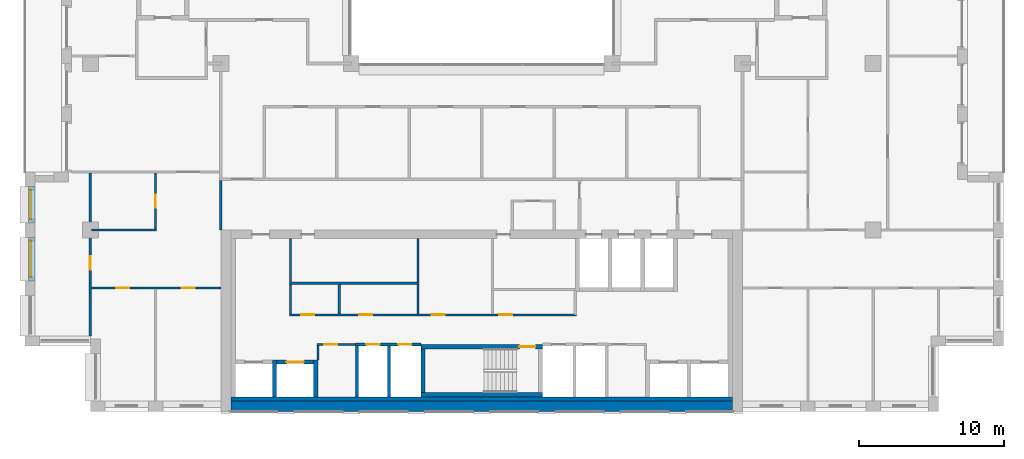
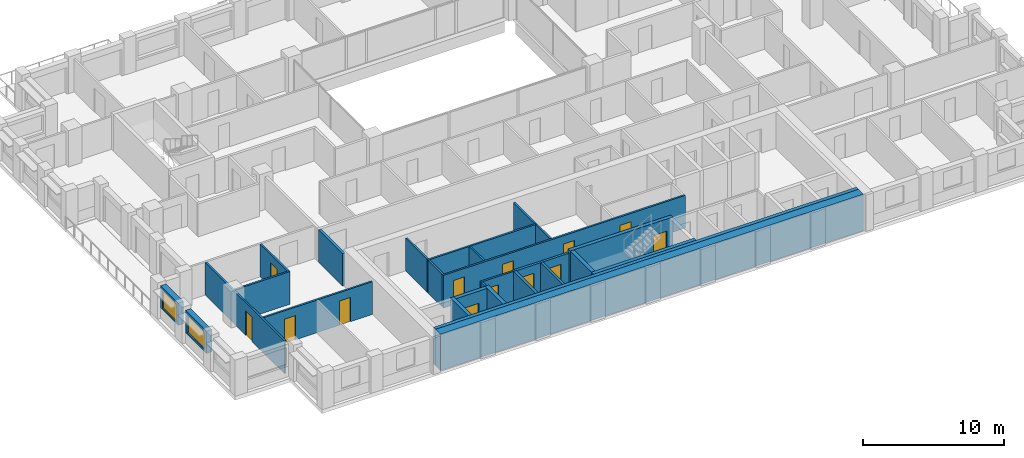
# One storey, part 8 of 15: 27 walls, 13 doors, 2 windows, 15 openings.
"""IFC4 building model written with IfcOpenShell, lengths in metres."""

from ifc_helpers import new_model, si_unit, direction, frame, frame_2d, origin, place, context, subcontext, project, spatial, rectangle, extrude, material, layer, layer_set, type_object, element, fill, save


model = new_model("IFC4")

# Units and contexts
model_context = context("Model", 3, precision=1e-05, world=origin(), true_north=direction((0.0, 1.0)))
body_context = subcontext(model_context, "Body", "Model", "MODEL_VIEW")
ifc_project = project(units=[si_unit("LENGTHUNIT", "METRE"), si_unit("AREAUNIT", "SQUARE_METRE"), si_unit("VOLUMEUNIT", "CUBIC_METRE"), si_unit("PLANEANGLEUNIT", "RADIAN"), si_unit("MASSUNIT", "GRAM", prefix="KILO")], contexts=[model_context])

# Site, building, storey
site_placement = place(None, origin())
site = spatial("IfcSite", under=ifc_project, at=site_placement, CompositionType="ELEMENT")
building_placement = place(site_placement, origin())
building = spatial("IfcBuilding", under=site, at=building_placement, Name="Brigalow Station Residences", CompositionType="ELEMENT")
storey_placement = place(building_placement, frame((0.0, 0.0, 150.75)))
storey = spatial("IfcBuildingStorey", under=building, at=storey_placement, Name="L43", CompositionType="ELEMENT", Elevation=150.75)

# Wall, opening, window
ifc_material_1 = material(Name="Clay brick masonry", Category="masonry")
ifc_layer_1 = layer(ifc_material_1, 0.449951171875)
ifc_layer_set_1 = layer_set([ifc_layer_1], Name="BRICK INFILL WALL 450")
wall_type_1 = type_object("IfcWallType", Name="BRICK INFILL WALL 450", PredefinedType="SOLIDWALL", material=ifc_layer_set_1)
wall_1_placement = place(storey_placement, frame((4.97509765625, 15.5, 0.89990234375), z_axis=(0.0, 0.0, 1.0), x_axis=(0.0, -1.0, 0.0)))
wall_1 = element("IfcWall", 1, at=wall_1_placement, inside=storey, type_object=wall_type_1, Name="L43/ewall/W-L43-45", PredefinedType="SOLIDWALL", context=body_context, shape_type="SweptSolid", body=[
    extrude(rectangle(XDim=2.5, YDim=0.449951171875, at=frame_2d((1.25, 0.0))), origin(), (0.0, 0.0, 1.0), 1.93017578125),
])
opening_1_placement = place(wall_1_placement, frame((0.25, 0.0, 0.14990234375)))
opening_1 = element("IfcOpeningElement", 2, at=opening_1_placement, cuts=wall_1, Name="Opening WT-7", PredefinedType="OPENING", context=body_context, shape_type="SweptSolid", body=[
    extrude(rectangle(XDim=2.0, YDim=1.5, at=frame_2d((1.0, 0.75))), frame((0.0, 0.23486328125, 0.0), z_axis=(0.0, -1.0, 0.0), x_axis=(1.0, 0.0, 0.0)), (0.0, 0.0, 1.0), 0.469970703125),
])
ifc_material_2 = material(Name="Anodised aluminium frame with double glazing", Category="aluminium")
window_type_1 = type_object("IfcWindowType", Name="WINDOW 2000x1500", PartitioningType="SINGLE_PANEL", PredefinedType="WINDOW", material=ifc_material_2)
window_1_placement = place(opening_1_placement, origin())
window_1 = element("IfcWindow", 3, at=window_1_placement, inside=storey, type_object=window_type_1, Name="L43/window/W-L43-45", OverallHeight=1.5, OverallWidth=2.0, PartitioningType="SINGLE_PANEL", PredefinedType="WINDOW", context=body_context, shape_type="SweptSolid", body=[
    extrude(rectangle(XDim=2.0, YDim=1.5, at=frame_2d((1.0, 0.75))), frame((0.0, -0.06494140625, 0.0), z_axis=(0.0, -1.0, 0.0), x_axis=(1.0, 0.0, 0.0)), (0.0, 0.0, 1.0), 0.06005859375),
])
fill(opening_1, window_1)

wall_2_placement = place(storey_placement, frame((4.97509765625, 12.0, 0.89990234375), z_axis=(0.0, 0.0, 1.0), x_axis=(0.0, -1.0, 0.0)))
wall_2 = element("IfcWall", 4, at=wall_2_placement, inside=storey, type_object=wall_type_1, Name="L43/ewall/W-L43-46", PredefinedType="SOLIDWALL", context=body_context, shape_type="SweptSolid", body=[
    extrude(rectangle(XDim=3.0, YDim=0.449951171875, at=frame_2d((1.5, 0.0))), origin(), (0.0, 0.0, 1.0), 1.93017578125),
])
opening_2_placement = place(wall_2_placement, frame((0.25, 0.0, 0.14990234375)))
opening_2 = element("IfcOpeningElement", 5, at=opening_2_placement, cuts=wall_2, Name="Opening WT-5", PredefinedType="OPENING", context=body_context, shape_type="SweptSolid", body=[
    extrude(rectangle(XDim=2.5, YDim=1.5, at=frame_2d((1.25, 0.75))), frame((0.0, 0.23486328125, 0.0), z_axis=(0.0, -1.0, 0.0), x_axis=(1.0, 0.0, 0.0)), (0.0, 0.0, 1.0), 0.469970703125),
])
ifc_material_3 = material(Name="Anodised aluminium frame with double glazing", Category="aluminium")
window_type_2 = type_object("IfcWindowType", Name="WINDOW 2500x1500", PartitioningType="SINGLE_PANEL", PredefinedType="WINDOW", material=ifc_material_3)
window_2_placement = place(opening_2_placement, origin())
window_2 = element("IfcWindow", 6, at=window_2_placement, inside=storey, type_object=window_type_2, Name="L43/window/W-L43-46", OverallHeight=1.5, OverallWidth=2.5, PartitioningType="SINGLE_PANEL", PredefinedType="WINDOW", context=body_context, shape_type="SweptSolid", body=[
    extrude(rectangle(XDim=2.5, YDim=1.5, at=frame_2d((1.25, 0.75))), frame((0.0, -0.06494140625, 0.0), z_axis=(0.0, -1.0, 0.0), x_axis=(1.0, 0.0, 0.0)), (0.0, 0.0, 1.0), 0.06005859375),
])
fill(opening_2, window_2)

# Wall
ifc_material_4 = material(Name="Concrete C65", Category="concrete")
ifc_layer_2 = layer(ifc_material_4, 0.300048828125)
ifc_layer_set_2 = layer_set([ifc_layer_2], Name="CORE SHEAR WALL 300 C65")
wall_type_2 = type_object("IfcWallType", Name="CORE SHEAR WALL 300 C65", PredefinedType="SHEAR", material=ifc_layer_set_2)
wall_3_placement = place(storey_placement, frame((18.699951171875, 0.85009765625, 0.0), z_axis=(0.0, 0.0, 1.0), x_axis=(1.0, 0.0, 0.0)))
element("IfcWall", 7, at=wall_3_placement, inside=storey, type_object=wall_type_2, Name="CORE WALL LIN-S L43", PredefinedType="SHEAR", context=body_context, shape_type="SweptSolid", body=[
    extrude(rectangle(XDim=34.60009765625, YDim=0.300048828125, at=frame_2d((17.300048828125, 0.0))), origin(), (0.0, 0.0, 1.0), 3.14990234375),
])

# Wall, opening, door
wall_4_placement = place(storey_placement, frame((21.85009765625, 3.39990234375, 0.0), z_axis=(0.0, 0.0, 1.0), x_axis=(1.0, 0.0, 0.0)))
wall_4 = element("IfcWall", 8, at=wall_4_placement, inside=storey, type_object=wall_type_2, Name="CORE WALL SH-C2-N L43", PredefinedType="SHEAR", context=body_context, shape_type="SweptSolid", body=[
    extrude(rectangle(XDim=2.5498046875, YDim=0.300048828125, at=frame_2d((1.27490234375, 0.0))), origin(), (0.0, 0.0, 1.0), 3.14990234375),
])
opening_3_placement = place(wall_4_placement, frame((0.675048828125, 0.0, 0.0)))
opening_3 = element("IfcOpeningElement", 9, at=opening_3_placement, cuts=wall_4, Name="Opening LD-LB2", PredefinedType="OPENING", context=body_context, shape_type="SweptSolid", body=[
    extrude(rectangle(XDim=1.199951171875, YDim=2.10009765625, at=frame_2d((0.60009765625, 1.050048828125))), frame((0.0, 0.16015625, 0.0), z_axis=(0.0, -1.0, 0.0), x_axis=(1.0, 0.0, 0.0)), (0.0, 0.0, 1.0), 0.320068359375),
])
ifc_material_5 = material(Name="Stainless steel sliding door leaves", Category="steel")
door_type_1 = type_object("IfcDoorType", Name="LIFT LANDING DOOR 1200 x 2100", OperationType="DOUBLE_DOOR_SLIDING", PredefinedType="DOOR", material=ifc_material_5)
door_1_placement = place(opening_3_placement, origin())
door_1 = element("IfcDoor", 10, at=door_1_placement, inside=storey, type_object=door_type_1, Name="LANDING DOOR LB2", OperationType="DOUBLE_DOOR_SLIDING", OverallHeight=2.10009765625, OverallWidth=1.199951171875, PredefinedType="DOOR", context=body_context, shape_type="SweptSolid", body=[
    extrude(rectangle(XDim=1.199951171875, YDim=2.10009765625, at=frame_2d((0.60009765625, 1.050048828125))), frame((0.0, 0.02490234375, 0.0), z_axis=(0.0, -1.0, 0.0), x_axis=(1.0, 0.0, 0.0)), (0.0, 0.0, 1.0), 0.050048828125),
])
fill(opening_3, door_1)

# Walls
for number, where, z_axis, x_axis, name in (
    (11, (21.699951171875, 1.0, 0.0), (0.0, 0.0, 1.0), (0.0, 1.0, 0.0), "CORE WALL SH-C2-W L43"),
    (12, (24.550048828125, 1.0, 0.0), (0.0, 0.0, 1.0), (0.0, 1.0, 0.0), "CORE WALL SH-C2-E L43"),
):
    element("IfcWall", number, at=place(storey_placement, frame(where, z_axis=z_axis, x_axis=x_axis)), inside=storey, type_object=wall_type_2, Name=name, PredefinedType="SHEAR", context=body_context, shape_type="SweptSolid", body=[
        extrude(rectangle(XDim=2.550048828125, YDim=0.300048828125, at=frame_2d((1.27490234375, 0.0))), origin(), (0.0, 0.0, 1.0), 3.14990234375),
    ])
wall_5_placement = place(storey_placement, frame((31.800048828125, 1.14990234375, 0.0), z_axis=(0.0, 0.0, 1.0), x_axis=(1.0, 0.0, 0.0)))
element("IfcWall", 13, at=wall_5_placement, inside=storey, type_object=wall_type_2, Name="CORE WALL ST-S2-S L43", PredefinedType="SHEAR", context=body_context, shape_type="SweptSolid", body=[
    extrude(rectangle(XDim=8.39990234375, YDim=0.300048828125, at=frame_2d((4.199951171875, 0.0))), origin(), (0.0, 0.0, 1.0), 3.14990234375),
])

# Wall, opening, door
wall_6_placement = place(storey_placement, frame((31.800048828125, 4.449951171875, 0.0), z_axis=(0.0, 0.0, 1.0), x_axis=(1.0, 0.0, 0.0)))
wall_6 = element("IfcWall", 14, at=wall_6_placement, inside=storey, type_object=wall_type_2, Name="CORE WALL ST-S2-N L43", PredefinedType="SHEAR", context=body_context, shape_type="SweptSolid", body=[
    extrude(rectangle(XDim=8.39990234375, YDim=0.300048828125, at=frame_2d((4.199951171875, 0.0))), origin(), (0.0, 0.0, 1.0), 3.14990234375),
])
opening_4_placement = place(wall_6_placement, frame((6.800048828125, 0.0, 0.0)))
opening_4 = element("IfcOpeningElement", 15, at=opening_4_placement, cuts=wall_6, Name="Opening D-5001", PredefinedType="OPENING", context=body_context, shape_type="SweptSolid", body=[
    extrude(rectangle(XDim=1.10009765625, YDim=2.10009765625, at=frame_2d((0.550048828125, 1.050048828125))), frame((0.0, 0.16015625, 0.0), z_axis=(0.0, -1.0, 0.0), x_axis=(1.0, 0.0, 0.0)), (0.0, 0.0, 1.0), 0.320068359375),
])
ifc_material_6 = material(Name="Steel fire door leaf in steel frame", Category="steel")
door_type_2 = type_object("IfcDoorType", Name="STAIR DOOR 1100 x 2100 FD60S", OperationType="SINGLE_SWING_LEFT", PredefinedType="DOOR", material=ifc_material_6)
door_2_placement = place(opening_4_placement, frame((1.10009765625, 0.0, 0.0), z_axis=(0.0, 0.0, 1.0), x_axis=(-1.0, 0.0, 0.0)))
door_2 = element("IfcDoor", 16, at=door_2_placement, inside=storey, type_object=door_type_2, Name="D-5001", OperationType="SINGLE_SWING_LEFT", OverallHeight=2.10009765625, OverallWidth=1.10009765625, PredefinedType="DOOR", context=body_context, shape_type="SweptSolid", body=[
    extrude(rectangle(XDim=1.10009765625, YDim=2.10009765625, at=frame_2d((0.550048828125, 1.050048828125))), frame((0.0, 0.02490234375, 0.0), z_axis=(0.0, -1.0, 0.0), x_axis=(1.0, 0.0, 0.0)), (0.0, 0.0, 1.0), 0.050048828125),
])
fill(opening_4, door_2)

# Walls
wall_7_placement = place(storey_placement, frame((31.949951171875, 1.300048828125, 0.0), z_axis=(0.0, 0.0, 1.0), x_axis=(0.0, 1.0, 0.0)))
element("IfcWall", 17, at=wall_7_placement, inside=storey, type_object=wall_type_2, Name="CORE WALL ST-S2-W L43", PredefinedType="SHEAR", context=body_context, shape_type="SweptSolid", body=[
    extrude(rectangle(XDim=3.0, YDim=0.300048828125, at=frame_2d((1.5, 0.0))), origin(), (0.0, 0.0, 1.0), 3.14990234375),
])
ifc_material_7 = material(Name="Concrete C65", Category="concrete")
ifc_layer_3 = layer(ifc_material_7, 0.699951171875)
ifc_layer_set_3 = layer_set([ifc_layer_3], Name="CORE SHEAR WALL 700 C65")
wall_type_3 = type_object("IfcWallType", Name="CORE SHEAR WALL 700 C65", PredefinedType="SHEAR", material=ifc_layer_set_3)
wall_8_placement = place(storey_placement, frame((18.699951171875, 0.35009765625, 0.0), z_axis=(0.0, 0.0, 1.0), x_axis=(1.0, 0.0, 0.0)))
element("IfcWall", 18, at=wall_8_placement, inside=storey, type_object=wall_type_3, Name="CORE WALL OUT-S L43", PredefinedType="SHEAR", context=body_context, shape_type="SweptSolid", body=[
    extrude(rectangle(XDim=34.60009765625, YDim=0.699951171875, at=frame_2d((17.300048828125, 0.0))), origin(), (0.0, 0.0, 1.0), 3.14990234375),
])

# Wall, openings, doors
ifc_material_8 = material(Name="Concrete blockwork", Category="masonry")
ifc_layer_4 = layer(ifc_material_8, 0.199951171875)
ifc_layer_set_4 = layer_set([ifc_layer_4], Name="FIRE RATED CORE PARTITION 200")
wall_type_4 = type_object("IfcWallType", Name="FIRE RATED CORE PARTITION 200", PredefinedType="PARTITIONING", material=ifc_layer_set_4)
wall_9_placement = place(storey_placement, frame((27.300048828125, 4.60009765625, 0.0), z_axis=(0.0, 0.0, 1.0), x_axis=(1.0, 0.0, 0.0)))
wall_9 = element("IfcWall", 19, at=wall_9_placement, inside=storey, type_object=wall_type_4, Name="PW-5017", PredefinedType="PARTITIONING", context=body_context, shape_type="SweptSolid", body=[
    extrude(rectangle(XDim=4.5, YDim=0.199951171875, at=frame_2d((2.25, 0.0))), origin(), (0.0, 0.0, 1.0), 2.830078125),
])
opening_5_placement = place(wall_9_placement, frame((0.75, 0.0, 0.0)))
opening_5 = element("IfcOpeningElement", 20, at=opening_5_placement, cuts=wall_9, Name="Opening D-5007", PredefinedType="OPENING", context=body_context, shape_type="SweptSolid", body=[
    extrude(rectangle(XDim=0.89990234375, YDim=2.10009765625, at=frame_2d((0.449951171875, 1.050048828125))), frame((0.0, 0.10986328125, 0.0), z_axis=(0.0, -1.0, 0.0), x_axis=(1.0, 0.0, 0.0)), (0.0, 0.0, 1.0), 0.219970703125),
])
opening_6_placement = place(wall_9_placement, frame((2.949951171875, 0.0, 0.0)))
opening_6 = element("IfcOpeningElement", 21, at=opening_6_placement, cuts=wall_9, Name="Opening D-5008", PredefinedType="OPENING", context=body_context, shape_type="SweptSolid", body=[
    extrude(rectangle(XDim=0.89990234375, YDim=2.10009765625, at=frame_2d((0.449951171875, 1.050048828125))), frame((0.0, 0.10986328125, 0.0), z_axis=(0.0, -1.0, 0.0), x_axis=(1.0, 0.0, 0.0)), (0.0, 0.0, 1.0), 0.219970703125),
])
ifc_material_9 = material(Name="Steel fire door leaf in steel frame", Category="steel")
door_type_3 = type_object("IfcDoorType", Name="RISER ACCESS DOOR 900 x 2100 FD120", OperationType="SINGLE_SWING_LEFT", PredefinedType="DOOR", material=ifc_material_9)
door_3_placement = place(opening_5_placement, frame((0.89990234375, 0.0, 0.0), z_axis=(0.0, 0.0, 1.0), x_axis=(-1.0, 0.0, 0.0)))
door_3 = element("IfcDoor", 22, at=door_3_placement, inside=storey, type_object=door_type_3, Name="D-5007", OperationType="SINGLE_SWING_RIGHT", OverallHeight=2.10009765625, OverallWidth=0.89990234375, PredefinedType="DOOR", context=body_context, shape_type="SweptSolid", body=[
    extrude(rectangle(XDim=0.89990234375, YDim=2.10009765625, at=frame_2d((0.449951171875, 1.050048828125))), frame((0.0, 0.02490234375, 0.0), z_axis=(0.0, -1.0, 0.0), x_axis=(1.0, 0.0, 0.0)), (0.0, 0.0, 1.0), 0.050048828125),
])
fill(opening_5, door_3)
door_4_placement = place(opening_6_placement, frame((0.89990234375, 0.0, 0.0), z_axis=(0.0, 0.0, 1.0), x_axis=(-1.0, 0.0, 0.0)))
door_4 = element("IfcDoor", 23, at=door_4_placement, inside=storey, type_object=door_type_3, Name="D-5008", OperationType="SINGLE_SWING_RIGHT", OverallHeight=2.10009765625, OverallWidth=0.89990234375, PredefinedType="DOOR", context=body_context, shape_type="SweptSolid", body=[
    extrude(rectangle(XDim=0.89990234375, YDim=2.10009765625, at=frame_2d((0.449951171875, 1.050048828125))), frame((0.0, 0.02490234375, 0.0), z_axis=(0.0, -1.0, 0.0), x_axis=(1.0, 0.0, 0.0)), (0.0, 0.0, 1.0), 0.050048828125),
])
fill(opening_6, door_4)

# Walls
wall_10_placement = place(storey_placement, frame((27.39990234375, 1.0, 0.0), z_axis=(0.0, 0.0, 1.0), x_axis=(0.0, 1.0, 0.0)))
element("IfcWall", 24, at=wall_10_placement, inside=storey, type_object=wall_type_4, Name="PW-5027", PredefinedType="PARTITIONING", context=body_context, shape_type="SweptSolid", body=[
    extrude(rectangle(XDim=3.52490234375, YDim=0.199951171875, at=frame_2d((1.762451171875, 0.0))), origin(), (0.0, 0.0, 1.0), 2.830078125),
])
wall_11_placement = place(storey_placement, frame((29.60009765625, 1.0, 0.0), z_axis=(0.0, 0.0, 1.0), x_axis=(0.0, 1.0, 0.0)))
element("IfcWall", 25, at=wall_11_placement, inside=storey, type_object=wall_type_4, Name="PW-5006", PredefinedType="PARTITIONING", context=body_context, shape_type="SweptSolid", body=[
    extrude(rectangle(XDim=3.5, YDim=0.199951171875, at=frame_2d((1.75, 0.0))), origin(), (0.0, 0.0, 1.0), 2.830078125),
])
wall_12_placement = place(storey_placement, frame((18.0, 12.5, 0.0), z_axis=(0.0, 0.0, 1.0), x_axis=(0.0, 1.0, 0.0)))
element("IfcWall", 26, at=wall_12_placement, inside=storey, type_object=wall_type_4, Name="PW-5013", PredefinedType="PARTITIONING", context=body_context, shape_type="SweptSolid", body=[
    extrude(rectangle(XDim=3.39990234375, YDim=0.199951171875, at=frame_2d((1.699951171875, 0.0))), origin(), (0.0, 0.0, 1.0), 2.830078125),
])

# Wall, openings, doors
ifc_material_10 = material(Name="Plasterboard on steel stud partition", Category="steel")
ifc_layer_5 = layer(ifc_material_10, 0.14990234375)
ifc_layer_set_5 = layer_set([ifc_layer_5], Name="FLAT PARTITION 150")
wall_type_5 = type_object("IfcWallType", Name="FLAT PARTITION 150", PredefinedType="PARTITIONING", material=ifc_layer_set_5)
wall_13_placement = place(storey_placement, frame((9.074951171875, 8.5, 0.0), z_axis=(0.0, 0.0, 1.0), x_axis=(1.0, 0.0, 0.0)))
wall_13 = element("IfcWall", 27, at=wall_13_placement, inside=storey, type_object=wall_type_5, Name="PW-3B21", PredefinedType="PARTITIONING", context=body_context, shape_type="SweptSolid", body=[
    extrude(rectangle(XDim=8.925048828125, YDim=0.14990234375, at=frame_2d((4.46240234375, 0.0))), origin(), (0.0, 0.0, 1.0), 2.830078125),
])
opening_7_placement = place(wall_13_placement, frame((1.72509765625, 0.0, 0.0)))
opening_7 = element("IfcOpeningElement", 28, at=opening_7_placement, cuts=wall_13, Name="Opening D-3B13", PredefinedType="OPENING", context=body_context, shape_type="SweptSolid", body=[
    extrude(rectangle(XDim=0.89990234375, YDim=2.10009765625, at=frame_2d((0.449951171875, 1.050048828125))), frame((0.0, 0.0849609375, 0.0), z_axis=(0.0, -1.0, 0.0), x_axis=(1.0, 0.0, 0.0)), (0.0, 0.0, 1.0), 0.169921875),
])
opening_8_placement = place(wall_13_placement, frame((6.22509765625, 0.0, 0.0)))
opening_8 = element("IfcOpeningElement", 29, at=opening_8_placement, cuts=wall_13, Name="Opening D-3B14", PredefinedType="OPENING", context=body_context, shape_type="SweptSolid", body=[
    extrude(rectangle(XDim=0.89990234375, YDim=2.10009765625, at=frame_2d((0.449951171875, 1.050048828125))), frame((0.0, 0.0849609375, 0.0), z_axis=(0.0, -1.0, 0.0), x_axis=(1.0, 0.0, 0.0)), (0.0, 0.0, 1.0), 0.169921875),
])
ifc_material_11 = material(Name="Solid-core timber door leaf", Category="wood")
door_type_4 = type_object("IfcDoorType", Name="INTERNAL DOOR 900 x 2100", OperationType="SINGLE_SWING_LEFT", PredefinedType="DOOR", material=ifc_material_11)
door_5_placement = place(opening_7_placement, frame((0.89990234375, 0.0, 0.0), z_axis=(0.0, 0.0, 1.0), x_axis=(-1.0, 0.0, 0.0)))
door_5 = element("IfcDoor", 30, at=door_5_placement, inside=storey, type_object=door_type_4, Name="D-3B13", OperationType="SINGLE_SWING_RIGHT", OverallHeight=2.10009765625, OverallWidth=0.89990234375, PredefinedType="DOOR", context=body_context, shape_type="SweptSolid", body=[
    extrude(rectangle(XDim=0.89990234375, YDim=2.10009765625, at=frame_2d((0.449951171875, 1.050048828125))), frame((0.0, 0.02490234375, 0.0), z_axis=(0.0, -1.0, 0.0), x_axis=(1.0, 0.0, 0.0)), (0.0, 0.0, 1.0), 0.050048828125),
])
fill(opening_7, door_5)
door_6_placement = place(opening_8_placement, frame((0.89990234375, 0.0, 0.0), z_axis=(0.0, 0.0, 1.0), x_axis=(-1.0, 0.0, 0.0)))
door_6 = element("IfcDoor", 31, at=door_6_placement, inside=storey, type_object=door_type_4, Name="D-3B14", OperationType="SINGLE_SWING_RIGHT", OverallHeight=2.10009765625, OverallWidth=0.89990234375, PredefinedType="DOOR", context=body_context, shape_type="SweptSolid", body=[
    extrude(rectangle(XDim=0.89990234375, YDim=2.10009765625, at=frame_2d((0.449951171875, 1.050048828125))), frame((0.0, 0.02490234375, 0.0), z_axis=(0.0, -1.0, 0.0), x_axis=(1.0, 0.0, 0.0)), (0.0, 0.0, 1.0), 0.050048828125),
])
fill(opening_8, door_6)

# Wall
wall_14_placement = place(storey_placement, frame((9.074951171875, 12.5, 0.0), z_axis=(0.0, 0.0, 1.0), x_axis=(1.0, 0.0, 0.0)))
element("IfcWall", 32, at=wall_14_placement, inside=storey, type_object=wall_type_5, Name="PW-3B23", PredefinedType="PARTITIONING", context=body_context, shape_type="SweptSolid", body=[
    extrude(rectangle(XDim=4.5, YDim=0.14990234375, at=frame_2d((2.25, 0.0))), origin(), (0.0, 0.0, 1.0), 2.830078125),
])

# Wall, opening, door
wall_15_placement = place(storey_placement, frame((13.5, 12.574951171875, 0.0), z_axis=(0.0, 0.0, 1.0), x_axis=(0.0, 1.0, 0.0)))
wall_15 = element("IfcWall", 33, at=wall_15_placement, inside=storey, type_object=wall_type_5, Name="PW-3B37", PredefinedType="PARTITIONING", context=body_context, shape_type="SweptSolid", body=[
    extrude(rectangle(XDim=3.85009765625, YDim=0.14990234375, at=frame_2d((1.925048828125, 0.0))), origin(), (0.0, 0.0, 1.0), 2.830078125),
])
opening_9_placement = place(wall_15_placement, frame((1.47509765625, 0.0, 0.0)))
opening_9 = element("IfcOpeningElement", 34, at=opening_9_placement, cuts=wall_15, Name="Opening D-3B16", PredefinedType="OPENING", context=body_context, shape_type="SweptSolid", body=[
    extrude(rectangle(XDim=0.89990234375, YDim=2.10009765625, at=frame_2d((0.449951171875, 1.050048828125))), frame((0.0, 0.0849609375, 0.0), z_axis=(0.0, -1.0, 0.0), x_axis=(1.0, 0.0, 0.0)), (0.0, 0.0, 1.0), 0.169921875),
])
door_7_placement = place(opening_9_placement, origin())
door_7 = element("IfcDoor", 35, at=door_7_placement, inside=storey, type_object=door_type_4, Name="D-3B16", OperationType="SINGLE_SWING_LEFT", OverallHeight=2.10009765625, OverallWidth=0.89990234375, PredefinedType="DOOR", context=body_context, shape_type="SweptSolid", body=[
    extrude(rectangle(XDim=0.89990234375, YDim=2.10009765625, at=frame_2d((0.449951171875, 1.050048828125))), frame((0.0, 0.02490234375, 0.0), z_axis=(0.0, -1.0, 0.0), x_axis=(1.0, 0.0, 0.0)), (0.0, 0.0, 1.0), 0.050048828125),
])
fill(opening_9, door_7)

wall_16_placement = place(storey_placement, frame((9.0, 5.199951171875, 0.0), z_axis=(0.0, 0.0, 1.0), x_axis=(0.0, 1.0, 0.0)))
wall_16 = element("IfcWall", 36, at=wall_16_placement, inside=storey, type_object=wall_type_5, Name="PW-3B39", PredefinedType="PARTITIONING", context=body_context, shape_type="SweptSolid", body=[
    extrude(rectangle(XDim=11.22509765625, YDim=0.14990234375, at=frame_2d((5.612548828125, 0.0))), origin(), (0.0, 0.0, 1.0), 2.830078125),
])
opening_10_placement = place(wall_16_placement, frame((4.574951171875, 0.0, 0.0)))
opening_10 = element("IfcOpeningElement", 37, at=opening_10_placement, cuts=wall_16, Name="Opening D-3B15", PredefinedType="OPENING", context=body_context, shape_type="SweptSolid", body=[
    extrude(rectangle(XDim=0.89990234375, YDim=2.10009765625, at=frame_2d((0.449951171875, 1.050048828125))), frame((0.0, 0.0849609375, 0.0), z_axis=(0.0, -1.0, 0.0), x_axis=(1.0, 0.0, 0.0)), (0.0, 0.0, 1.0), 0.169921875),
])
door_8_placement = place(opening_10_placement, origin())
door_8 = element("IfcDoor", 38, at=door_8_placement, inside=storey, type_object=door_type_4, Name="D-3B15", OperationType="SINGLE_SWING_LEFT", OverallHeight=2.10009765625, OverallWidth=0.89990234375, PredefinedType="DOOR", context=body_context, shape_type="SweptSolid", body=[
    extrude(rectangle(XDim=0.89990234375, YDim=2.10009765625, at=frame_2d((0.449951171875, 1.050048828125))), frame((0.0, 0.02490234375, 0.0), z_axis=(0.0, -1.0, 0.0), x_axis=(1.0, 0.0, 0.0)), (0.0, 0.0, 1.0), 0.050048828125),
])
fill(opening_10, door_8)

ifc_material_12 = material(Name="Plasterboard on steel studs", Category="steel")
ifc_layer_6 = layer(ifc_material_12, 0.14990234375)
ifc_layer_set_6 = layer_set([ifc_layer_6], Name="SERVICE ROOM PARTITION 150")
wall_type_6 = type_object("IfcWallType", Name="SERVICE ROOM PARTITION 150", PredefinedType="PARTITIONING", material=ifc_layer_set_6)
wall_17_placement = place(storey_placement, frame((24.625, 4.60009765625, 0.0), z_axis=(0.0, 0.0, 1.0), x_axis=(1.0, 0.0, 0.0)))
wall_17 = element("IfcWall", 39, at=wall_17_placement, inside=storey, type_object=wall_type_6, Name="PW-5155", PredefinedType="PARTITIONING", context=body_context, shape_type="SweptSolid", body=[
    extrude(rectangle(XDim=2.675048828125, YDim=0.14990234375, at=frame_2d((1.33740234375, 0.0))), origin(), (0.0, 0.0, 1.0), 2.830078125),
])
opening_11_placement = place(wall_17_placement, frame((0.52490234375, 0.0, 0.0)))
opening_11 = element("IfcOpeningElement", 40, at=opening_11_placement, cuts=wall_17, Name="Opening D-5087", PredefinedType="OPENING", context=body_context, shape_type="SweptSolid", body=[
    extrude(rectangle(XDim=0.89990234375, YDim=2.10009765625, at=frame_2d((0.449951171875, 1.050048828125))), frame((0.0, 0.0849609375, 0.0), z_axis=(0.0, -1.0, 0.0), x_axis=(1.0, 0.0, 0.0)), (0.0, 0.0, 1.0), 0.169921875),
])
ifc_material_13 = material(Name="Steel door leaf in steel frame", Category="steel")
door_type_5 = type_object("IfcDoorType", Name="SERVICE ROOM DOOR 900 x 2100 FD60", OperationType="SINGLE_SWING_LEFT", PredefinedType="DOOR", material=ifc_material_13)
door_9_placement = place(opening_11_placement, frame((0.89990234375, 0.0, 0.0), z_axis=(0.0, 0.0, 1.0), x_axis=(-1.0, 0.0, 0.0)))
door_9 = element("IfcDoor", 41, at=door_9_placement, inside=storey, type_object=door_type_5, Name="D-5087", OperationType="SINGLE_SWING_RIGHT", OverallHeight=2.10009765625, OverallWidth=0.89990234375, PredefinedType="DOOR", context=body_context, shape_type="SweptSolid", body=[
    extrude(rectangle(XDim=0.89990234375, YDim=2.10009765625, at=frame_2d((0.449951171875, 1.050048828125))), frame((0.0, 0.02490234375, 0.0), z_axis=(0.0, -1.0, 0.0), x_axis=(1.0, 0.0, 0.0)), (0.0, 0.0, 1.0), 0.050048828125),
])
fill(opening_11, door_9)

# Wall, openings, doors
wall_18_placement = place(storey_placement, frame((22.72509765625, 6.64990234375, 0.0), z_axis=(0.0, 0.0, 1.0), x_axis=(1.0, 0.0, 0.0)))
wall_18 = element("IfcWall", 42, at=wall_18_placement, inside=storey, type_object=wall_type_6, Name="PW-5195", PredefinedType="PARTITIONING", context=body_context, shape_type="SweptSolid", body=[
    extrude(rectangle(XDim=19.7998046875, YDim=0.14990234375, at=frame_2d((9.89990234375, 0.0))), origin(), (0.0, 0.0, 1.0), 2.830078125),
])
opening_12_placement = place(wall_18_placement, frame((0.824951171875, 0.0, 0.0)))
opening_12 = element("IfcOpeningElement", 43, at=opening_12_placement, cuts=wall_18, Name="Opening D-5110", PredefinedType="OPENING", context=body_context, shape_type="SweptSolid", body=[
    extrude(rectangle(XDim=0.89990234375, YDim=2.10009765625, at=frame_2d((0.449951171875, 1.050048828125))), frame((0.0, 0.0849609375, 0.0), z_axis=(0.0, -1.0, 0.0), x_axis=(1.0, 0.0, 0.0)), (0.0, 0.0, 1.0), 0.169921875),
])
opening_13_placement = place(wall_18_placement, frame((4.824951171875, 0.0, 0.0)))
opening_13 = element("IfcOpeningElement", 44, at=opening_13_placement, cuts=wall_18, Name="Opening D-5116", PredefinedType="OPENING", context=body_context, shape_type="SweptSolid", body=[
    extrude(rectangle(XDim=0.89990234375, YDim=2.10009765625, at=frame_2d((0.449951171875, 1.050048828125))), frame((0.0, 0.0849609375, 0.0), z_axis=(0.0, -1.0, 0.0), x_axis=(1.0, 0.0, 0.0)), (0.0, 0.0, 1.0), 0.169921875),
])
opening_14_placement = place(wall_18_placement, frame((9.824951171875, 0.0, 0.0)))
opening_14 = element("IfcOpeningElement", 45, at=opening_14_placement, cuts=wall_18, Name="Opening D-5117", PredefinedType="OPENING", context=body_context, shape_type="SweptSolid", body=[
    extrude(rectangle(XDim=0.89990234375, YDim=2.10009765625, at=frame_2d((0.449951171875, 1.050048828125))), frame((0.0, 0.0849609375, 0.0), z_axis=(0.0, -1.0, 0.0), x_axis=(1.0, 0.0, 0.0)), (0.0, 0.0, 1.0), 0.169921875),
])
opening_15_placement = place(wall_18_placement, frame((14.47509765625, 0.0, 0.0)))
opening_15 = element("IfcOpeningElement", 46, at=opening_15_placement, cuts=wall_18, Name="Opening D-5114", PredefinedType="OPENING", context=body_context, shape_type="SweptSolid", body=[
    extrude(rectangle(XDim=0.89990234375, YDim=2.10009765625, at=frame_2d((0.449951171875, 1.050048828125))), frame((0.0, 0.0849609375, 0.0), z_axis=(0.0, -1.0, 0.0), x_axis=(1.0, 0.0, 0.0)), (0.0, 0.0, 1.0), 0.169921875),
])
door_10_placement = place(opening_12_placement, origin())
door_10 = element("IfcDoor", 47, at=door_10_placement, inside=storey, type_object=door_type_5, Name="D-5110", OperationType="SINGLE_SWING_LEFT", OverallHeight=2.10009765625, OverallWidth=0.89990234375, PredefinedType="DOOR", context=body_context, shape_type="SweptSolid", body=[
    extrude(rectangle(XDim=0.89990234375, YDim=2.10009765625, at=frame_2d((0.449951171875, 1.050048828125))), frame((0.0, 0.02490234375, 0.0), z_axis=(0.0, -1.0, 0.0), x_axis=(1.0, 0.0, 0.0)), (0.0, 0.0, 1.0), 0.050048828125),
])
fill(opening_12, door_10)
door_11_placement = place(opening_13_placement, origin())
door_11 = element("IfcDoor", 48, at=door_11_placement, inside=storey, type_object=door_type_5, Name="D-5116", OperationType="SINGLE_SWING_LEFT", OverallHeight=2.10009765625, OverallWidth=0.89990234375, PredefinedType="DOOR", context=body_context, shape_type="SweptSolid", body=[
    extrude(rectangle(XDim=0.89990234375, YDim=2.10009765625, at=frame_2d((0.449951171875, 1.050048828125))), frame((0.0, 0.02490234375, 0.0), z_axis=(0.0, -1.0, 0.0), x_axis=(1.0, 0.0, 0.0)), (0.0, 0.0, 1.0), 0.050048828125),
])
fill(opening_13, door_11)
door_12_placement = place(opening_14_placement, origin())
door_12 = element("IfcDoor", 49, at=door_12_placement, inside=storey, type_object=door_type_5, Name="D-5117", OperationType="SINGLE_SWING_LEFT", OverallHeight=2.10009765625, OverallWidth=0.89990234375, PredefinedType="DOOR", context=body_context, shape_type="SweptSolid", body=[
    extrude(rectangle(XDim=0.89990234375, YDim=2.10009765625, at=frame_2d((0.449951171875, 1.050048828125))), frame((0.0, 0.02490234375, 0.0), z_axis=(0.0, -1.0, 0.0), x_axis=(1.0, 0.0, 0.0)), (0.0, 0.0, 1.0), 0.050048828125),
])
fill(opening_14, door_12)
door_13_placement = place(opening_15_placement, origin())
door_13 = element("IfcDoor", 50, at=door_13_placement, inside=storey, type_object=door_type_5, Name="D-5114", OperationType="SINGLE_SWING_LEFT", OverallHeight=2.10009765625, OverallWidth=0.89990234375, PredefinedType="DOOR", context=body_context, shape_type="SweptSolid", body=[
    extrude(rectangle(XDim=0.89990234375, YDim=2.10009765625, at=frame_2d((0.449951171875, 1.050048828125))), frame((0.0, 0.02490234375, 0.0), z_axis=(0.0, -1.0, 0.0), x_axis=(1.0, 0.0, 0.0)), (0.0, 0.0, 1.0), 0.050048828125),
])
fill(opening_15, door_13)

# Walls
wall_19_placement = place(storey_placement, frame((22.72509765625, 8.830078125, 0.0), z_axis=(0.0, 0.0, 1.0), x_axis=(1.0, 0.0, 0.0)))
element("IfcWall", 51, at=wall_19_placement, inside=storey, type_object=wall_type_6, Name="PW-5205", PredefinedType="PARTITIONING", context=body_context, shape_type="SweptSolid", body=[
    extrude(rectangle(XDim=8.9599609375, YDim=0.14990234375, at=frame_2d((4.47998046875, 0.0))), origin(), (0.0, 0.0, 1.0), 2.830078125),
])
wall_20_placement = place(storey_placement, frame((24.699951171875, 3.550048828125, 0.0), z_axis=(0.0, 0.0, 1.0), x_axis=(0.0, 1.0, 0.0)))
element("IfcWall", 52, at=wall_20_placement, inside=storey, type_object=wall_type_6, Name="PW-5157", PredefinedType="PARTITIONING", context=body_context, shape_type="SweptSolid", body=[
    extrude(rectangle(XDim=0.974853515625, YDim=0.14990234375, at=frame_2d((0.4873046875, 0.0))), origin(), (0.0, 0.0, 1.0), 2.830078125),
])
for number, where, z_axis, x_axis, name in (
    (53, (22.800048828125, 6.72509765625, 0.0), (0.0, 0.0, 1.0), (0.0, 1.0, 0.0), "PW-5207"),
    (54, (26.169921875, 6.72509765625, 0.0), (0.0, 0.0, 1.0), (0.0, 1.0, 0.0), "PW-5208"),
    (55, (31.610107421875, 6.72509765625, 0.0), (0.0, 0.0, 1.0), (0.0, 1.0, 0.0), "PW-5209"),
):
    element("IfcWall", number, at=place(storey_placement, frame(where, z_axis=z_axis, x_axis=x_axis)), inside=storey, type_object=wall_type_6, Name=name, PredefinedType="PARTITIONING", context=body_context, shape_type="SweptSolid", body=[
        extrude(rectangle(XDim=2.02978515625, YDim=0.14990234375, at=frame_2d((1.014892578125, 0.0))), origin(), (0.0, 0.0, 1.0), 2.830078125),
    ])
for number, where, z_axis, x_axis, name in (
    (56, (22.800048828125, 8.905029296875, 0.0), (0.0, 0.0, 1.0), (0.0, 1.0, 0.0), "PW-5212"),
    (57, (31.610107421875, 8.905029296875, 0.0), (0.0, 0.0, 1.0), (0.0, 1.0, 0.0), "PW-5213"),
):
    element("IfcWall", number, at=place(storey_placement, frame(where, z_axis=z_axis, x_axis=x_axis)), inside=storey, type_object=wall_type_6, Name=name, PredefinedType="PARTITIONING", context=body_context, shape_type="SweptSolid", body=[
        extrude(rectangle(XDim=2.994873046875, YDim=0.14990234375, at=frame_2d((1.49755859375, 0.0))), origin(), (0.0, 0.0, 1.0), 2.830078125),
    ])

save(model, "model.ifc")
